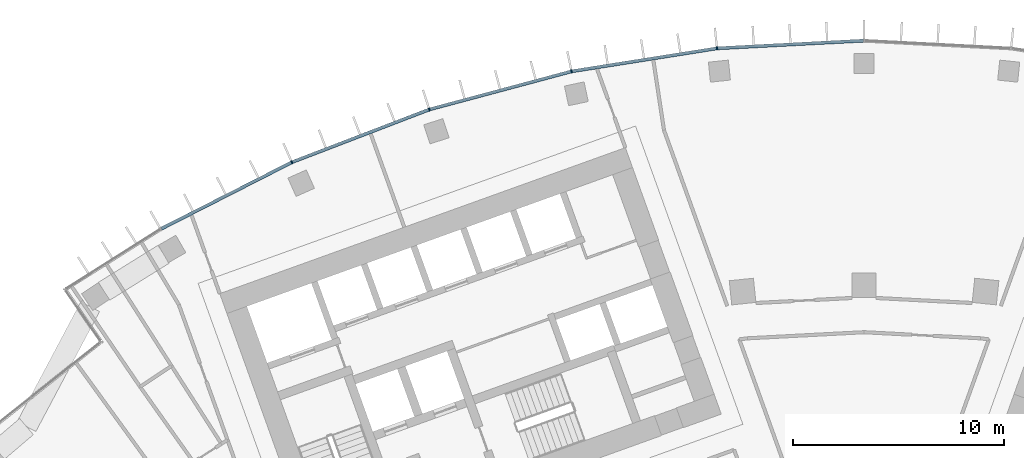
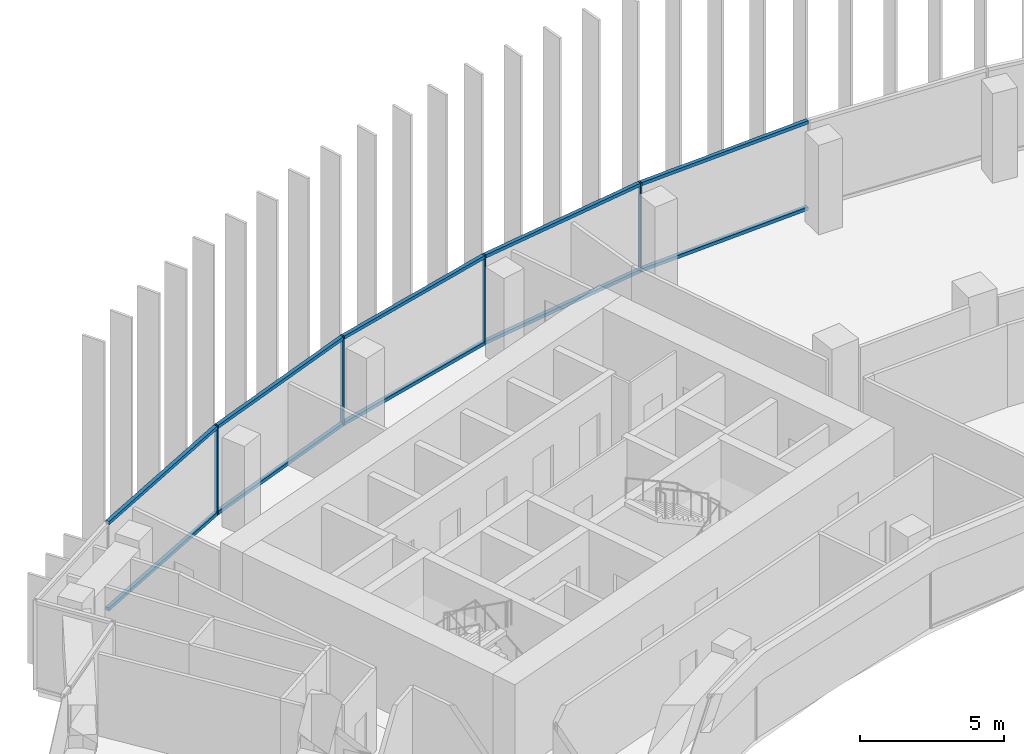
# One storey, part 6 of 19: 14 members, 1 element without a shape of its own.
"""IFC4 building model written with IfcOpenShell, lengths in metres."""

from ifc_helpers import new_model, si_unit, direction, frame, origin, origin_2d, place, context, subcontext, project, spatial, rectangle, extrude, material, layer, layer_set, material_profile, profile_set, type_object, element, aggregate, save


model = new_model("IFC4")

# Units and contexts
model_context = context("Model", 3, precision=1e-05, world=origin(), true_north=direction((0.0, 1.0)))
body_context = subcontext(model_context, "Body", "Model", "MODEL_VIEW")
ifc_project = project(units=[si_unit("LENGTHUNIT", "METRE"), si_unit("AREAUNIT", "SQUARE_METRE"), si_unit("VOLUMEUNIT", "CUBIC_METRE"), si_unit("PLANEANGLEUNIT", "RADIAN"), si_unit("MASSUNIT", "GRAM", prefix="KILO")], contexts=[model_context])

# Site, building, storey
site_placement = place(None, origin())
site = spatial("IfcSite", under=ifc_project, at=site_placement, CompositionType="ELEMENT")
building_placement = place(site_placement, origin())
building = spatial("IfcBuilding", under=site, at=building_placement, Name="Stone Belt Terrace Tower", CompositionType="ELEMENT")
storey_placement = place(building_placement, frame((0.0, 0.0, 235.199951171875)))
storey = spatial("IfcBuildingStorey", under=building, at=storey_placement, Name="L57", CompositionType="ELEMENT", Elevation=235.199951171875)

# Curtain wall, members
ifc_material = material(Name="Aluminium 6063-T6 anodised frame", Category="aluminium")
ifc_layer = layer(ifc_material, 0.14990234375)
ifc_layer_set = layer_set([ifc_layer], Name="CW-A unitised convex-face curtain wall")
curtain_wall_type = type_object("IfcCurtainWallType", Name="CW-A unitised convex-face curtain wall", PredefinedType="NOTDEFINED", material=ifc_layer_set)
curtain_wall_placement = place(storey_placement, origin())
curtain_wall = element("IfcCurtainWall", 1, at=curtain_wall_placement, inside=storey, type_object=curtain_wall_type, Name="CW-A convex face L57", PredefinedType="NOTDEFINED")
ifc_material_profile_1 = material_profile(ifc_material, rectangle(XDim=0.14990234375, YDim=0.06005859375, at=origin_2d()), Name="Aluminium 6063-T6 60x150")
ifc_profile_set_1 = profile_set([ifc_material_profile_1], Name="Aluminium 6063-T6 anodised frame")
member_type_1 = type_object("IfcMemberType", Name="CW-A mullion 60 x 150", PredefinedType="MULLION", material=ifc_profile_set_1)
member_1_placement = place(storey_placement, frame((-6.958984375, 66.21044921875, 0.0), z_axis=(0.0, 0.0, 1.0), x_axis=(0.104528463268, -0.994521895368, 0.0)))
member_1 = element("IfcMember", 2, at=member_1_placement, type_object=member_type_1, Name="CW-A mullion 10", PredefinedType="MULLION", context=body_context, shape_type="SweptSolid", body=[
    extrude(rectangle(XDim=0.14990234375, YDim=0.06005859375, at=origin_2d()), origin(), (0.0, 0.0, 1.0), 3.800048828125),
])
member_2_placement = place(storey_placement, frame((-13.841796875, 65.120361328125, 0.0), z_axis=(0.0, 0.0, 1.0), x_axis=(0.207911690818, -0.978147600734, 0.0)))
member_2 = element("IfcMember", 3, at=member_2_placement, type_object=member_type_1, Name="CW-A mullion 11", PredefinedType="MULLION", context=body_context, shape_type="SweptSolid", body=[
    extrude(rectangle(XDim=0.14990234375, YDim=0.06005859375, at=origin_2d()), origin(), (0.0, 0.0, 1.0), 3.800048828125),
])
member_3_placement = place(storey_placement, frame((-20.57275390625, 63.316650390625, 0.0), z_axis=(0.0, 0.0, 1.0), x_axis=(0.309016994375, -0.951056516295, 0.0)))
member_3 = element("IfcMember", 4, at=member_3_placement, type_object=member_type_1, Name="CW-A mullion 12", PredefinedType="MULLION", context=body_context, shape_type="SweptSolid", body=[
    extrude(rectangle(XDim=0.14990234375, YDim=0.06005859375, at=origin_2d()), origin(), (0.0, 0.0, 1.0), 3.800048828125),
])
member_4_placement = place(storey_placement, frame((-27.07861328125, 60.8193359375, 0.0), z_axis=(0.0, 0.0, 1.0), x_axis=(0.406736643076, -0.913545457643, 0.0)))
member_4 = element("IfcMember", 5, at=member_4_placement, type_object=member_type_1, Name="CW-A mullion 13", PredefinedType="MULLION", context=body_context, shape_type="SweptSolid", body=[
    extrude(rectangle(XDim=0.14990234375, YDim=0.06005859375, at=origin_2d()), origin(), (0.0, 0.0, 1.0), 3.800048828125),
])
ifc_material_profile_2 = material_profile(ifc_material, rectangle(XDim=0.14990234375, YDim=0.139892578125, at=origin_2d()), Name="Aluminium 6063-T6 150x140")
ifc_profile_set_2 = profile_set([ifc_material_profile_2], Name="Aluminium 6063-T6 anodised frame")
member_type_2 = type_object("IfcMemberType", Name="CW-A transom 140 x 150", PredefinedType="USERDEFINED", material=ifc_profile_set_2)
member_5_placement = place(storey_placement, frame((-0.033935546875, 66.5732421875, 0.070068359375), z_axis=(-0.998630019135, -0.052326712899, 0.0), x_axis=(0.052326712899, -0.998630019135, 0.0)))
member_5 = element("IfcMember", 6, at=member_5_placement, type_object=member_type_2, Name="CW-A transom 9.1", ObjectType="TRANSOM", PredefinedType="USERDEFINED", context=body_context, shape_type="SweptSolid", body=[
    extrude(rectangle(XDim=0.14990234375, YDim=0.139892578125, at=origin_2d()), origin(), (0.0, 0.0, 1.0), 6.900634765625),
])
member_6_placement = place(storey_placement, frame((-0.033935546875, 66.5732421875, 3.72998046875), z_axis=(-0.998630019135, -0.052326712899, 0.0), x_axis=(0.052326712899, -0.998630019135, 0.0)))
member_6 = element("IfcMember", 7, at=member_6_placement, type_object=member_type_2, Name="CW-A transom 9.2", ObjectType="TRANSOM", PredefinedType="USERDEFINED", context=body_context, shape_type="SweptSolid", body=[
    extrude(rectangle(XDim=0.14990234375, YDim=0.139892578125, at=origin_2d()), origin(), (0.0, 0.0, 1.0), 6.900634765625),
])
member_7_placement = place(storey_placement, frame((-6.992431640625, 66.205078125, 0.070068359375), z_axis=(-0.987687120531, -0.156442168027, 0.0), x_axis=(0.156442168027, -0.987687120531, 0.0)))
member_7 = element("IfcMember", 8, at=member_7_placement, type_object=member_type_2, Name="CW-A transom 10.1", ObjectType="TRANSOM", PredefinedType="USERDEFINED", context=body_context, shape_type="SweptSolid", body=[
    extrude(rectangle(XDim=0.14990234375, YDim=0.139892578125, at=origin_2d()), origin(), (0.0, 0.0, 1.0), 6.90087890625),
])
member_8_placement = place(storey_placement, frame((-6.992431640625, 66.205078125, 3.72998046875), z_axis=(-0.987687120531, -0.156442168027, 0.0), x_axis=(0.156442168027, -0.987687120531, 0.0)))
member_8 = element("IfcMember", 9, at=member_8_placement, type_object=member_type_2, Name="CW-A transom 10.2", ObjectType="TRANSOM", PredefinedType="USERDEFINED", context=body_context, shape_type="SweptSolid", body=[
    extrude(rectangle(XDim=0.14990234375, YDim=0.139892578125, at=origin_2d()), origin(), (0.0, 0.0, 1.0), 6.90087890625),
])
member_9_placement = place(storey_placement, frame((-13.87451171875, 65.111572265625, 0.070068359375), z_axis=(-0.965921835863, -0.258833937117, 0.0), x_axis=(0.258833937117, -0.965921835863, 0.0)))
member_9 = element("IfcMember", 10, at=member_9_placement, type_object=member_type_2, Name="CW-A transom 11.1", ObjectType="TRANSOM", PredefinedType="USERDEFINED", context=body_context, shape_type="SweptSolid", body=[
    extrude(rectangle(XDim=0.14990234375, YDim=0.139892578125, at=origin_2d()), origin(), (0.0, 0.0, 1.0), 6.900634765625),
])
member_10_placement = place(storey_placement, frame((-13.87451171875, 65.111572265625, 3.72998046875), z_axis=(-0.965921835863, -0.258833937117, 0.0), x_axis=(0.258833937117, -0.965921835863, 0.0)))
member_10 = element("IfcMember", 11, at=member_10_placement, type_object=member_type_2, Name="CW-A transom 11.2", ObjectType="TRANSOM", PredefinedType="USERDEFINED", context=body_context, shape_type="SweptSolid", body=[
    extrude(rectangle(XDim=0.14990234375, YDim=0.139892578125, at=origin_2d()), origin(), (0.0, 0.0, 1.0), 6.900634765625),
])
member_11_placement = place(storey_placement, frame((-20.6044921875, 63.304443359375, 0.070068359375), z_axis=(-0.933585210269, -0.358355487146, 0.0), x_axis=(0.358355487146, -0.933585210269, 0.0)))
member_11 = element("IfcMember", 12, at=member_11_placement, type_object=member_type_2, Name="CW-A transom 12.1", ObjectType="TRANSOM", PredefinedType="USERDEFINED", context=body_context, shape_type="SweptSolid", body=[
    extrude(rectangle(XDim=0.14990234375, YDim=0.139892578125, at=origin_2d()), origin(), (0.0, 0.0, 1.0), 6.900634765625),
])
member_12_placement = place(storey_placement, frame((-20.6044921875, 63.304443359375, 3.72998046875), z_axis=(-0.933585210269, -0.358355487146, 0.0), x_axis=(0.358355487146, -0.933585210269, 0.0)))
member_12 = element("IfcMember", 13, at=member_12_placement, type_object=member_type_2, Name="CW-A transom 12.2", ObjectType="TRANSOM", PredefinedType="USERDEFINED", context=body_context, shape_type="SweptSolid", body=[
    extrude(rectangle(XDim=0.14990234375, YDim=0.139892578125, at=origin_2d()), origin(), (0.0, 0.0, 1.0), 6.900634765625),
])
member_13_placement = place(storey_placement, frame((-27.108642578125, 60.803955078125, 0.070068359375), z_axis=(-0.891012226264, -0.453979308613, 0.0), x_axis=(0.453979308613, -0.891012226264, 0.0)))
member_13 = element("IfcMember", 14, at=member_13_placement, type_object=member_type_2, Name="CW-A transom 13.1", ObjectType="TRANSOM", PredefinedType="USERDEFINED", context=body_context, shape_type="SweptSolid", body=[
    extrude(rectangle(XDim=0.14990234375, YDim=0.139892578125, at=origin_2d()), origin(), (0.0, 0.0, 1.0), 6.90087890625),
])
member_14_placement = place(storey_placement, frame((-27.108642578125, 60.803955078125, 3.72998046875), z_axis=(-0.891012226264, -0.453979308613, 0.0), x_axis=(0.453979308613, -0.891012226264, 0.0)))
member_14 = element("IfcMember", 15, at=member_14_placement, type_object=member_type_2, Name="CW-A transom 13.2", ObjectType="TRANSOM", PredefinedType="USERDEFINED", context=body_context, shape_type="SweptSolid", body=[
    extrude(rectangle(XDim=0.14990234375, YDim=0.139892578125, at=origin_2d()), origin(), (0.0, 0.0, 1.0), 6.90087890625),
])
aggregate(curtain_wall, [member_1, member_2, member_3, member_4, member_5, member_6, member_7, member_8, member_9, member_10, member_11, member_12, member_13, member_14])

save(model, "model.ifc")
